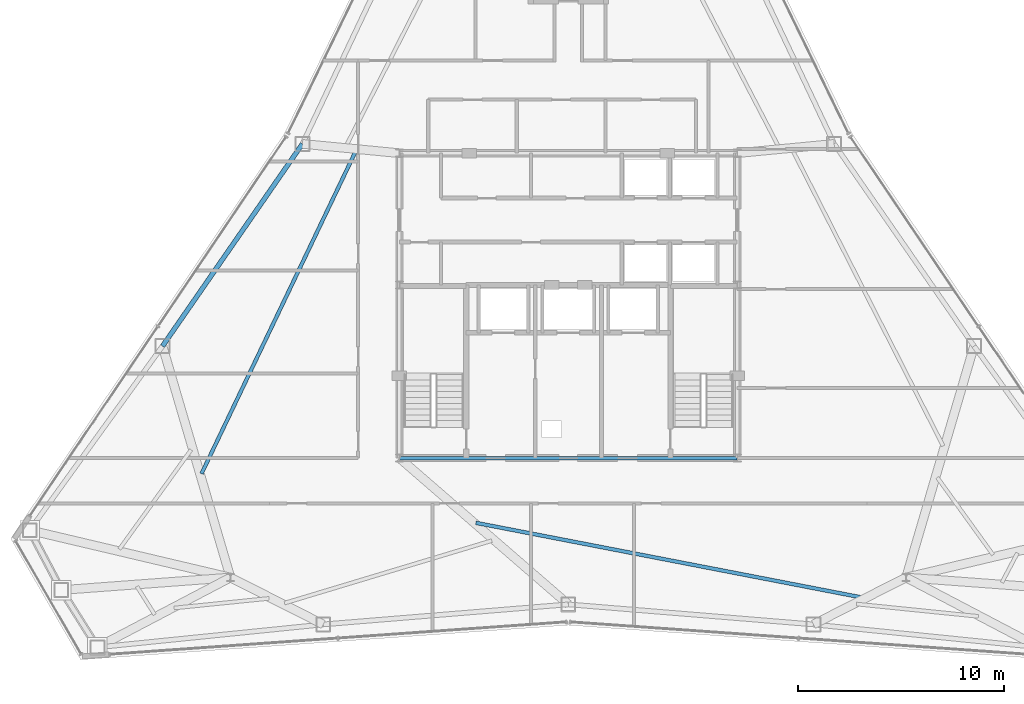
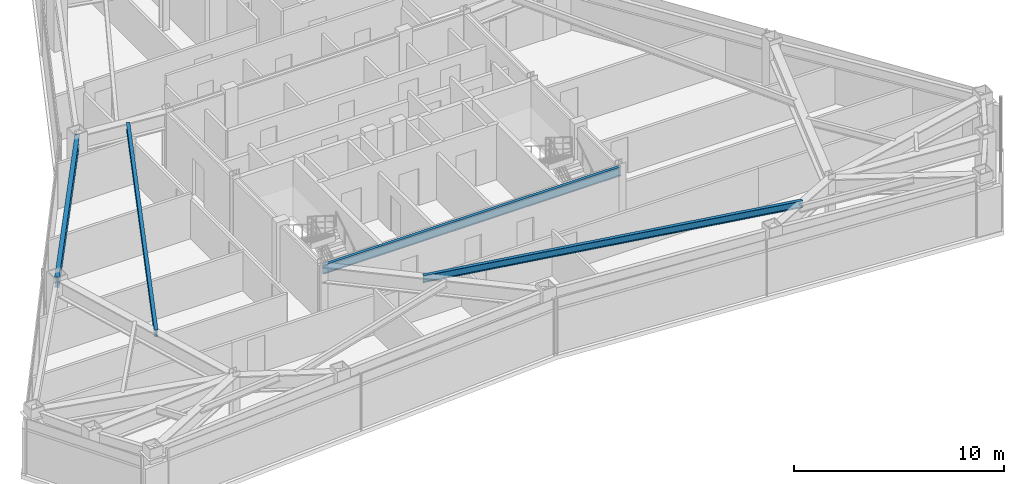
# One storey, part 4 of 12: 4 beams.
"""IFC4 building model written with IfcOpenShell, lengths in metres."""

from ifc_helpers import new_model, si_unit, direction, frame, origin, origin_2d, place, context, subcontext, project, spatial, i_section, extrude, material, material_profile, profile_set, type_object, element, save


model = new_model("IFC4")

# Units and contexts
model_context = context("Model", 3, precision=1e-05, world=origin(), true_north=direction((0.0, 1.0)))
body_context = subcontext(model_context, "Body", "Model", "MODEL_VIEW")
ifc_project = project(units=[si_unit("LENGTHUNIT", "METRE"), si_unit("AREAUNIT", "SQUARE_METRE"), si_unit("VOLUMEUNIT", "CUBIC_METRE"), si_unit("PLANEANGLEUNIT", "RADIAN"), si_unit("MASSUNIT", "GRAM", prefix="KILO")], contexts=[model_context])

# Site, building, storey
site_placement = place(None, origin())
site = spatial("IfcSite", under=ifc_project, at=site_placement, CompositionType="ELEMENT")
building_placement = place(site_placement, origin())
building = spatial("IfcBuilding", under=site, at=building_placement, Name="Varakhsha Concourse Tower", CompositionType="ELEMENT")
storey_placement = place(building_placement, frame((0.0, 0.0, 208.39990234375)))
storey = spatial("IfcBuildingStorey", under=building, at=storey_placement, Name="L59", CompositionType="ELEMENT", Elevation=208.39990234375)

# Beams
ifc_material = material(Name="Structural Steel ASTM A992 Grade 50", Category="steel")
ifc_material_profile_1 = material_profile(ifc_material, i_section(OverallWidth=0.177978515625, OverallDepth=0.406982421875, WebThickness=0.008056640625, FlangeThickness=0.012939453125, at=origin_2d()), Name="W16X40")
ifc_profile_set_1 = profile_set([ifc_material_profile_1], Name="Structural Steel ASTM A992 Grade 50")
beam_type_1 = type_object("IfcBeamType", Name="BM-JST-W16X40", PredefinedType="JOIST", material=ifc_profile_set_1)
beam_1_placement = place(storey_placement, frame((29.681884765625, 31.29931640625, 3.046630859375), z_axis=(-0.431342995849, -0.902188018061, 0.0), x_axis=(0.902188018061, -0.431342995849, 0.0)))
element("IfcBeam", 1, at=beam_1_placement, inside=storey, type_object=beam_type_1, Name="BM-TJST-L59-05", PredefinedType="JOIST", context=body_context, shape_type="SweptSolid", body=[
    extrude(i_section(OverallWidth=0.177978515625, OverallDepth=0.406982421875, WebThickness=0.008056640625, FlangeThickness=0.012939453125, at=origin_2d()), origin(), (0.0, 0.0, 1.0), 17.354736328125),
])
beam_2_placement = place(storey_placement, frame((35.51611328125, 13.25390625, 3.046630859375), z_axis=(0.981811534661, -0.189858132318, 0.0), x_axis=(0.189858132318, 0.981811534661, 0.0)))
element("IfcBeam", 2, at=beam_2_placement, inside=storey, type_object=beam_type_1, Name="BM-TJST-L59-11", PredefinedType="JOIST", context=body_context, shape_type="SweptSolid", body=[
    extrude(i_section(OverallWidth=0.177978515625, OverallDepth=0.406982421875, WebThickness=0.008056640625, FlangeThickness=0.012939453125, at=origin_2d()), origin(), (0.0, 0.0, 1.0), 19.143310546875),
])
ifc_material_profile_2 = material_profile(ifc_material, i_section(OverallWidth=0.1669921875, OverallDepth=0.534912109375, WebThickness=0.010009765625, FlangeThickness=0.01708984375, at=origin_2d()), Name="W21X57")
ifc_profile_set_2 = profile_set([ifc_material_profile_2], Name="Structural Steel ASTM A992 Grade 50")
beam_type_2 = type_object("IfcBeamType", Name="BM-RAD-W21X57", PredefinedType="BEAM", material=ifc_profile_set_2)
beam_3_placement = place(storey_placement, frame((31.800048828125, 16.39990234375, 2.982666015625), z_axis=(1.0, 0.0, 0.0), x_axis=(0.0, 1.0, 0.0)))
element("IfcBeam", 3, at=beam_3_placement, inside=storey, type_object=beam_type_2, Name="BM-TCORE-L59-CS", PredefinedType="BEAM", context=body_context, shape_type="SweptSolid", body=[
    extrude(i_section(OverallWidth=0.1669921875, OverallDepth=0.534912109375, WebThickness=0.010009765625, FlangeThickness=0.01708984375, at=origin_2d()), origin(), (0.0, 0.0, 1.0), 16.39990234375),
])
ifc_material_profile_3 = material_profile(ifc_material, i_section(OverallWidth=0.22900390625, OverallDepth=0.612060546875, WebThickness=0.011962890625, FlangeThickness=0.02001953125, at=origin_2d()), Name="W24X84")
ifc_profile_set_3 = profile_set([ifc_material_profile_3], Name="Structural Steel ASTM A992 Grade 50")
beam_type_3 = type_object("IfcBeamType", Name="BM-SPAN-W24X84", PredefinedType="SPANDREL", material=ifc_profile_set_3)
beam_4_placement = place(storey_placement, frame((27.09375, 31.651611328125, 2.944091796875), z_axis=(-0.568940907467, -0.822378406703, 0.0), x_axis=(0.822378406703, -0.568940907467, 0.0)))
element("IfcBeam", 4, at=beam_4_placement, inside=storey, type_object=beam_type_3, Name="BM-SPAN-L59-05", PredefinedType="SPANDREL", context=body_context, shape_type="SweptSolid", body=[
    extrude(i_section(OverallWidth=0.22900390625, OverallDepth=0.612060546875, WebThickness=0.011962890625, FlangeThickness=0.02001953125, at=origin_2d()), origin(), (0.0, 0.0, 1.0), 11.9384765625),
])

save(model, "model.ifc")
